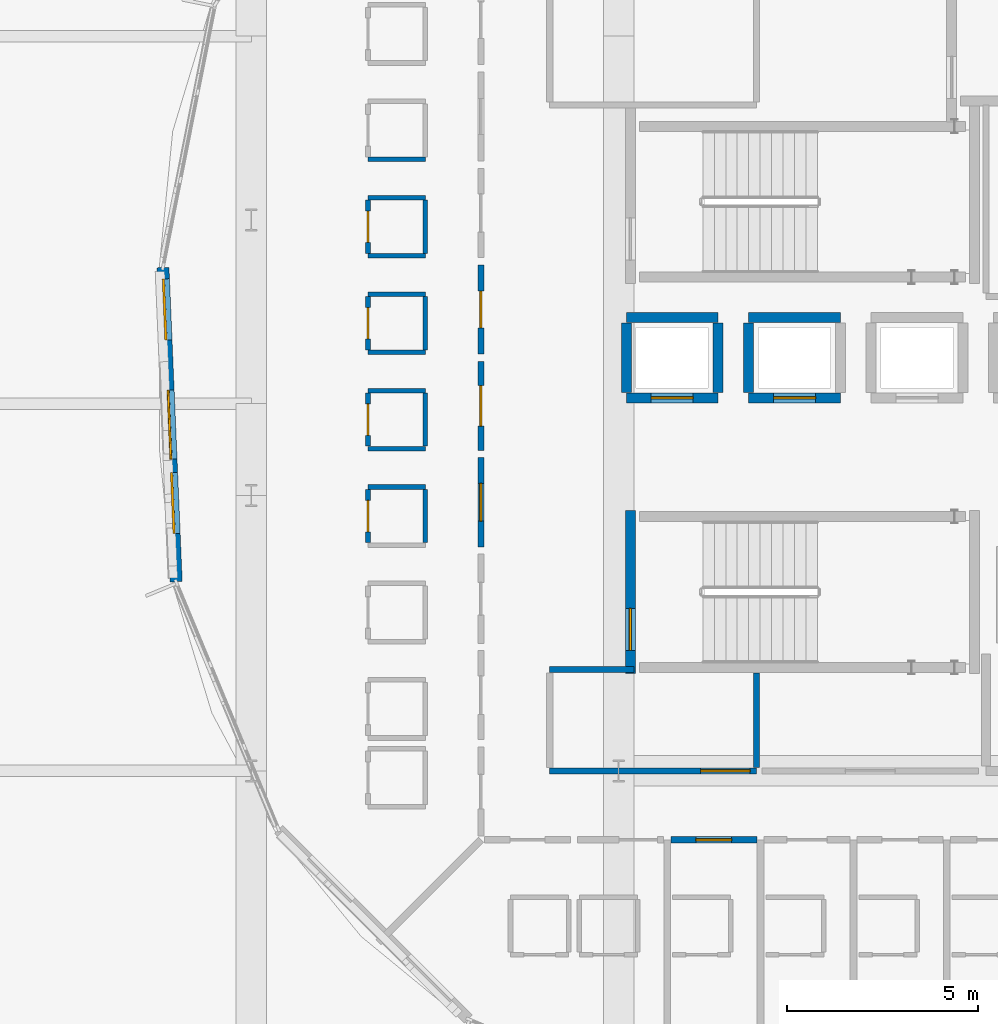
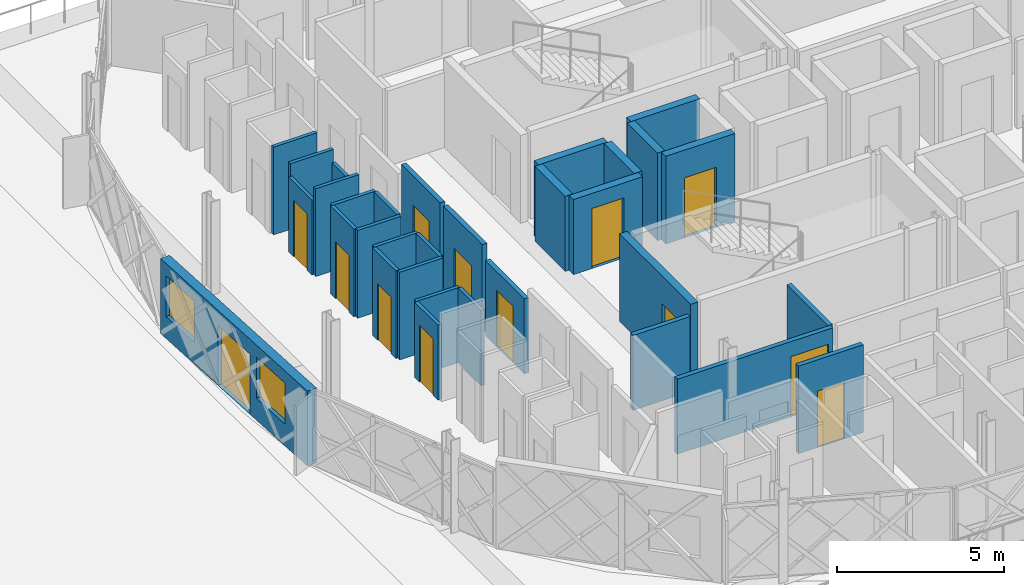
# One storey, part 31 of 53: 32 walls, 13 doors, 2 windows, 15 openings.
"""IFC4 building model written with IfcOpenShell, lengths in metres."""

from ifc_helpers import new_model, si_unit, direction, frame, frame_2d, origin, place, context, subcontext, project, spatial, rectangle, extrude, material, layer, layer_set, type_object, element, fill, save


model = new_model("IFC4")

# Units and contexts
model_context = context("Model", 3, precision=1e-05, world=origin(), true_north=direction((0.0, 1.0)))
body_context = subcontext(model_context, "Body", "Model", "MODEL_VIEW")
ifc_project = project(units=[si_unit("LENGTHUNIT", "METRE"), si_unit("AREAUNIT", "SQUARE_METRE"), si_unit("VOLUMEUNIT", "CUBIC_METRE"), si_unit("PLANEANGLEUNIT", "RADIAN"), si_unit("MASSUNIT", "GRAM", prefix="KILO")], contexts=[model_context])

# Site, building, storey
site_placement = place(None, origin())
site = spatial("IfcSite", under=ifc_project, at=site_placement, CompositionType="ELEMENT")
building_placement = place(site_placement, origin())
building = spatial("IfcBuilding", under=site, at=building_placement, Name="Zevrakil Square Congress Hotel", CompositionType="ELEMENT")
storey_placement = place(building_placement, frame((0.0, 0.0, 14.699951171875)))
storey = spatial("IfcBuildingStorey", under=building, at=storey_placement, Name="L04", CompositionType="ELEMENT", Elevation=14.699951171875)

# Wall, opening, door
ifc_material_1 = material(Name="Gypsum Acoustic Stud Partition")
ifc_layer_1 = layer(ifc_material_1, 0.159912109375)
ifc_layer_set_1 = layer_set([ifc_layer_1], Name="Gypsum Acoustic Stud Partition")
wall_type_1 = type_object("IfcWallType", Name="WAL-CORR-160", PredefinedType="PARTITIONING", material=ifc_layer_set_1)
wall_1_placement = place(storey_placement, frame((135.0, 16.800048828125, 0.0), z_axis=(0.0, 0.0, 1.0), x_axis=(1.0, 0.0, 0.0)))
wall_1 = element("IfcWall", 1, at=wall_1_placement, inside=storey, type_object=wall_type_1, Name="L04 interior partition PW-L04-0241", PredefinedType="PARTITIONING", context=body_context, shape_type="SweptSolid", body=[
    extrude(rectangle(XDim=5.39990234375, YDim=0.159912109375, at=frame_2d((2.699951171875, 0.0))), origin(), (0.0, 0.0, 1.0), 2.75),
])
opening_1_placement = place(wall_1_placement, frame((3.93994140625, 0.0, 0.0)))
opening_1 = element("IfcOpeningElement", 2, at=opening_1_placement, cuts=wall_1, Name="Opening ID-08", PredefinedType="OPENING", context=body_context, shape_type="SweptSolid", body=[
    extrude(rectangle(XDim=1.300048828125, YDim=2.199951171875, at=frame_2d((0.64990234375, 1.10009765625))), frame((0.0, 0.08984375, 0.0), z_axis=(0.0, -1.0, 0.0), x_axis=(1.0, 0.0, 0.0)), (0.0, 0.0, 1.0), 0.179931640625),
])
ifc_material_2 = material(Name="Service Corridor Leaf-and-Half Door")
door_type_1 = type_object("IfcDoorType", Name="DOR-BOH-130", OperationType="NOTDEFINED", PredefinedType="DOOR", material=ifc_material_2)
door_1_placement = place(opening_1_placement, origin())
door_1 = element("IfcDoor", 3, at=door_1_placement, inside=storey, type_object=door_type_1, Name="L04 interior door 103", OperationType="SINGLE_SWING_LEFT", OverallHeight=2.199951171875, OverallWidth=1.300048828125, PredefinedType="DOOR", context=body_context, shape_type="SweptSolid", body=[
    extrude(rectangle(XDim=1.300048828125, YDim=2.199951171875, at=frame_2d((0.64990234375, 1.10009765625))), frame((0.0, 0.02490234375, 0.0), z_axis=(0.0, -1.0, 0.0), x_axis=(1.0, 0.0, 0.0)), (0.0, 0.0, 1.0), 0.050048828125),
])
fill(opening_1, door_1)

# Walls
wall_2_placement = place(storey_placement, frame((140.39990234375, 16.885009765625, 0.0), z_axis=(0.0, 0.0, 1.0), x_axis=(0.0, 1.0, 0.0)))
element("IfcWall", 4, at=wall_2_placement, inside=storey, type_object=wall_type_1, Name="L04 interior partition PW-L04-0243", PredefinedType="PARTITIONING", context=body_context, shape_type="SweptSolid", body=[
    extrude(rectangle(XDim=2.47998046875, YDim=0.159912109375, at=frame_2d((1.239990234375, 0.0))), origin(), (0.0, 0.0, 1.0), 2.75),
])
wall_3_placement = place(storey_placement, frame((135.0, 19.449951171875, 0.0), z_axis=(0.0, 0.0, 1.0), x_axis=(1.0, 0.0, 0.0)))
element("IfcWall", 5, at=wall_3_placement, inside=storey, type_object=wall_type_1, Name="L04 interior partition PW-L04-0244", PredefinedType="PARTITIONING", context=body_context, shape_type="SweptSolid", body=[
    extrude(rectangle(XDim=2.199951171875, YDim=0.159912109375, at=frame_2d((1.10009765625, 0.0))), origin(), (0.0, 0.0, 1.0), 2.75),
])

# Wall, opening, door
wall_4_placement = place(storey_placement, frame((138.1650390625, 15.0, 0.0), z_axis=(0.0, 0.0, 1.0), x_axis=(1.0, 0.0, 0.0)))
wall_4 = element("IfcWall", 6, at=wall_4_placement, inside=storey, type_object=wall_type_1, Name="L04 interior partition PW-L04-0272", PredefinedType="PARTITIONING", context=body_context, shape_type="SweptSolid", body=[
    extrude(rectangle(XDim=2.244873046875, YDim=0.159912109375, at=frame_2d((1.12255859375, 0.0))), origin(), (0.0, 0.0, 1.0), 3.215087890625),
])
opening_2_placement = place(wall_4_placement, frame((0.654541015625, 0.0, 0.0)))
opening_2 = element("IfcOpeningElement", 7, at=opening_2_placement, cuts=wall_4, Name="Opening ID-H08", PredefinedType="OPENING", context=body_context, shape_type="SweptSolid", body=[
    extrude(rectangle(XDim=0.93603515625, YDim=2.070068359375, at=frame_2d((0.468017578125, 1.03515625))), frame((0.0, 0.08984375, 0.0), z_axis=(0.0, -1.0, 0.0), x_axis=(1.0, 0.0, 0.0)), (0.0, 0.0, 1.0), 0.179931640625),
])
ifc_material_3 = material(Name="Acoustic Timber Fire Door", Category="wood")
door_type_2 = type_object("IfcDoorType", Name="DOR-INT-H08", OperationType="NOTDEFINED", PredefinedType="DOOR", material=ifc_material_3)
door_2_placement = place(opening_2_placement, origin())
door_2 = element("IfcDoor", 8, at=door_2_placement, inside=storey, type_object=door_type_2, Name="L04 interior door 113", OperationType="SINGLE_SWING_LEFT", OverallHeight=2.070068359375, OverallWidth=0.93603515625, PredefinedType="DOOR", context=body_context, shape_type="SweptSolid", body=[
    extrude(rectangle(XDim=0.93603515625, YDim=2.070068359375, at=frame_2d((0.468017578125, 1.03515625))), frame((0.0, 0.02490234375, 0.0), z_axis=(0.0, -1.0, 0.0), x_axis=(1.0, 0.0, 0.0)), (0.0, 0.0, 1.0), 0.050048828125),
])
fill(opening_2, door_2)

wall_5_placement = place(storey_placement, frame((133.199951171875, 27.695068359375, 0.0), z_axis=(0.0, 0.0, 1.0), x_axis=(0.0, 1.0, 0.0)))
wall_5 = element("IfcWall", 9, at=wall_5_placement, inside=storey, type_object=wall_type_1, Name="L04 interior partition PW-L04-0425", PredefinedType="PARTITIONING", context=body_context, shape_type="SweptSolid", body=[
    extrude(rectangle(XDim=2.329833984375, YDim=0.159912109375, at=frame_2d((1.1650390625, 0.0))), origin(), (0.0, 0.0, 1.0), 3.215087890625),
])
opening_3_placement = place(wall_5_placement, frame((0.68505859375, 0.0, 0.0)))
opening_3 = element("IfcOpeningElement", 10, at=opening_3_placement, cuts=wall_5, Name="Opening ID-H10", PredefinedType="OPENING", context=body_context, shape_type="SweptSolid", body=[
    extrude(rectangle(XDim=0.9599609375, YDim=2.1298828125, at=frame_2d((0.47998046875, 1.06494140625))), frame((0.0, 0.08984375, 0.0), z_axis=(0.0, -1.0, 0.0), x_axis=(1.0, 0.0, 0.0)), (0.0, 0.0, 1.0), 0.179931640625),
])
ifc_material_4 = material(Name="Acoustic Timber Fire Door", Category="wood")
door_type_3 = type_object("IfcDoorType", Name="DOR-INT-H10", OperationType="NOTDEFINED", PredefinedType="DOOR", material=ifc_material_4)
door_3_placement = place(opening_3_placement, origin())
door_3 = element("IfcDoor", 11, at=door_3_placement, inside=storey, type_object=door_type_3, Name="L04 interior door 173", OperationType="SINGLE_SWING_LEFT", OverallHeight=2.1298828125, OverallWidth=0.9599609375, PredefinedType="DOOR", context=body_context, shape_type="SweptSolid", body=[
    extrude(rectangle(XDim=0.9599609375, YDim=2.1298828125, at=frame_2d((0.47998046875, 1.06494140625))), frame((0.0, 0.02490234375, 0.0), z_axis=(0.0, -1.0, 0.0), x_axis=(1.0, 0.0, 0.0)), (0.0, 0.0, 1.0), 0.050048828125),
])
fill(opening_3, door_3)

wall_6_placement = place(storey_placement, frame((133.199951171875, 25.175048828125, 0.0), z_axis=(0.0, 0.0, 1.0), x_axis=(0.0, 1.0, 0.0)))
wall_6 = element("IfcWall", 12, at=wall_6_placement, inside=storey, type_object=wall_type_1, Name="L04 interior partition PW-L04-0430", PredefinedType="PARTITIONING", context=body_context, shape_type="SweptSolid", body=[
    extrude(rectangle(XDim=2.329833984375, YDim=0.159912109375, at=frame_2d((1.1650390625, 0.0))), origin(), (0.0, 0.0, 1.0), 3.215087890625),
])
opening_4_placement = place(wall_6_placement, frame((0.637451171875, 0.0, 0.0)))
opening_4 = element("IfcOpeningElement", 13, at=opening_4_placement, cuts=wall_6, Name="Opening ID-G09", PredefinedType="OPENING", context=body_context, shape_type="SweptSolid", body=[
    extrude(rectangle(XDim=1.054931640625, YDim=2.050048828125, at=frame_2d((0.52734375, 1.02490234375))), frame((0.0, 0.08984375, 0.0), z_axis=(0.0, -1.0, 0.0), x_axis=(1.0, 0.0, 0.0)), (0.0, 0.0, 1.0), 0.179931640625),
])
ifc_material_5 = material(Name="Acoustic Timber Fire Door", Category="wood")
door_type_4 = type_object("IfcDoorType", Name="DOR-INT-G09", OperationType="NOTDEFINED", PredefinedType="DOOR", material=ifc_material_5)
door_4_placement = place(opening_4_placement, origin())
door_4 = element("IfcDoor", 14, at=door_4_placement, inside=storey, type_object=door_type_4, Name="L04 interior door 175", OperationType="SINGLE_SWING_LEFT", OverallHeight=2.050048828125, OverallWidth=1.054931640625, PredefinedType="DOOR", context=body_context, shape_type="SweptSolid", body=[
    extrude(rectangle(XDim=1.054931640625, YDim=2.050048828125, at=frame_2d((0.52734375, 1.02490234375))), frame((0.0, 0.02490234375, 0.0), z_axis=(0.0, -1.0, 0.0), x_axis=(1.0, 0.0, 0.0)), (0.0, 0.0, 1.0), 0.050048828125),
])
fill(opening_4, door_4)

wall_7_placement = place(storey_placement, frame((133.199951171875, 22.655029296875, 0.0), z_axis=(0.0, 0.0, 1.0), x_axis=(0.0, 1.0, 0.0)))
wall_7 = element("IfcWall", 15, at=wall_7_placement, inside=storey, type_object=wall_type_1, Name="L04 interior partition PW-L04-0435", PredefinedType="PARTITIONING", context=body_context, shape_type="SweptSolid", body=[
    extrude(rectangle(XDim=2.330078125, YDim=0.159912109375, at=frame_2d((1.1650390625, 0.0))), origin(), (0.0, 0.0, 1.0), 2.75),
])
opening_5_placement = place(wall_7_placement, frame((0.673095703125, 0.0, 0.0)))
opening_5 = element("IfcOpeningElement", 16, at=opening_5_placement, cuts=wall_7, Name="Opening ID-H12", PredefinedType="OPENING", context=body_context, shape_type="SweptSolid", body=[
    extrude(rectangle(XDim=0.98388671875, YDim=2.070068359375, at=frame_2d((0.491943359375, 1.03515625))), frame((0.0, 0.08984375, 0.0), z_axis=(0.0, -1.0, 0.0), x_axis=(1.0, 0.0, 0.0)), (0.0, 0.0, 1.0), 0.179931640625),
])
ifc_material_6 = material(Name="Acoustic Timber Fire Door", Category="wood")
door_type_5 = type_object("IfcDoorType", Name="DOR-INT-H12", OperationType="NOTDEFINED", PredefinedType="DOOR", material=ifc_material_6)
door_5_placement = place(opening_5_placement, origin())
door_5 = element("IfcDoor", 17, at=door_5_placement, inside=storey, type_object=door_type_5, Name="L04 interior door 177", OperationType="SINGLE_SWING_LEFT", OverallHeight=2.070068359375, OverallWidth=0.98388671875, PredefinedType="DOOR", context=body_context, shape_type="SweptSolid", body=[
    extrude(rectangle(XDim=0.98388671875, YDim=2.070068359375, at=frame_2d((0.491943359375, 1.03515625))), frame((0.0, 0.02490234375, 0.0), z_axis=(0.0, -1.0, 0.0), x_axis=(1.0, 0.0, 0.0)), (0.0, 0.0, 1.0), 0.050048828125),
])
fill(opening_5, door_5)

# Walls
ifc_material_7 = material(Name="Moisture-Resistant Gypsum Partition")
ifc_layer_2 = layer(ifc_material_7, 0.1201171875)
ifc_layer_set_2 = layer_set([ifc_layer_2], Name="Moisture-Resistant Gypsum Partition")
wall_type_2 = type_object("IfcWallType", Name="WAL-ENS-120", PredefinedType="PARTITIONING", material=ifc_layer_set_2)
for number, where, z_axis, x_axis, name in (
    (18, (130.25, 32.780029296875, 0.0), (0.0, 0.0, 1.0), (1.0, 0.0, 0.0), "L04 interior partition PW-L04-0416"),
    (19, (130.25, 30.260009765625, 0.0), (0.0, 0.0, 1.0), (1.0, 0.0, 0.0), "L04 interior partition PW-L04-0421"),
    (20, (130.25, 31.780029296875, 0.0), (0.0, 0.0, 1.0), (1.0, 0.0, 0.0), "L04 interior partition PW-L04-0422"),
):
    element("IfcWall", number, at=place(storey_placement, frame(where, z_axis=z_axis, x_axis=x_axis)), inside=storey, type_object=wall_type_2, Name=name, PredefinedType="PARTITIONING", context=body_context, shape_type="SweptSolid", body=[
        extrude(rectangle(XDim=1.5, YDim=0.1201171875, at=frame_2d((0.75, 0.0))), origin(), (0.0, 0.0, 1.0), 3.215087890625),
    ])

# Wall, opening, door
wall_8_placement = place(storey_placement, frame((130.25, 30.324951171875, 0.0), z_axis=(0.0, 0.0, 1.0), x_axis=(0.0, 1.0, 0.0)))
wall_8 = element("IfcWall", 21, at=wall_8_placement, inside=storey, type_object=wall_type_2, Name="L04 interior partition PW-L04-0423", PredefinedType="PARTITIONING", context=body_context, shape_type="SweptSolid", body=[
    extrude(rectangle(XDim=1.39013671875, YDim=0.1201171875, at=frame_2d((0.695068359375, 0.0))), origin(), (0.0, 0.0, 1.0), 2.75),
])
opening_6_placement = place(wall_8_placement, frame((0.284912109375, 0.0, 0.0)))
opening_6 = element("IfcOpeningElement", 22, at=opening_6_placement, cuts=wall_8, Name="Opening ID-11", PredefinedType="OPENING", context=body_context, shape_type="SweptSolid", body=[
    extrude(rectangle(XDim=0.820068359375, YDim=2.080078125, at=frame_2d((0.41015625, 1.0400390625))), frame((0.0, 0.070068359375, 0.0), z_axis=(0.0, -1.0, 0.0), x_axis=(1.0, 0.0, 0.0)), (0.0, 0.0, 1.0), 0.14013671875),
])
ifc_material_8 = material(Name="Acoustic Timber Door", Category="wood")
door_type_6 = type_object("IfcDoorType", Name="DOR-INT-V01", OperationType="NOTDEFINED", PredefinedType="DOOR", material=ifc_material_8)
door_6_placement = place(opening_6_placement, origin())
door_6 = element("IfcDoor", 23, at=door_6_placement, inside=storey, type_object=door_type_6, Name="L04 interior door 172", OperationType="SINGLE_SWING_RIGHT", OverallHeight=2.080078125, OverallWidth=0.820068359375, PredefinedType="DOOR", context=body_context, shape_type="SweptSolid", body=[
    extrude(rectangle(XDim=0.820068359375, YDim=2.080078125, at=frame_2d((0.41015625, 1.0400390625))), frame((0.0, 0.02490234375, 0.0), z_axis=(0.0, -1.0, 0.0), x_axis=(1.0, 0.0, 0.0)), (0.0, 0.0, 1.0), 0.050048828125),
])
fill(opening_6, door_6)

# Walls
wall_9_placement = place(storey_placement, frame((131.75, 30.324951171875, 0.0), z_axis=(0.0, 0.0, 1.0), x_axis=(0.0, 1.0, 0.0)))
element("IfcWall", 24, at=wall_9_placement, inside=storey, type_object=wall_type_2, Name="L04 interior partition PW-L04-0424", PredefinedType="PARTITIONING", context=body_context, shape_type="SweptSolid", body=[
    extrude(rectangle(XDim=1.39013671875, YDim=0.1201171875, at=frame_2d((0.695068359375, 0.0))), origin(), (0.0, 0.0, 1.0), 2.75),
])
for number, where, z_axis, x_axis, name in (
    (25, (130.25, 27.739990234375, 0.0), (0.0, 0.0, 1.0), (1.0, 0.0, 0.0), "L04 interior partition PW-L04-0426"),
    (26, (130.25, 29.260009765625, 0.0), (0.0, 0.0, 1.0), (1.0, 0.0, 0.0), "L04 interior partition PW-L04-0427"),
):
    element("IfcWall", number, at=place(storey_placement, frame(where, z_axis=z_axis, x_axis=x_axis)), inside=storey, type_object=wall_type_2, Name=name, PredefinedType="PARTITIONING", context=body_context, shape_type="SweptSolid", body=[
        extrude(rectangle(XDim=1.5, YDim=0.1201171875, at=frame_2d((0.75, 0.0))), origin(), (0.0, 0.0, 1.0), 3.215087890625),
    ])

# Wall, opening, door
wall_10_placement = place(storey_placement, frame((130.25, 27.804931640625, 0.0), z_axis=(0.0, 0.0, 1.0), x_axis=(0.0, 1.0, 0.0)))
wall_10 = element("IfcWall", 27, at=wall_10_placement, inside=storey, type_object=wall_type_2, Name="L04 interior partition PW-L04-0428", PredefinedType="PARTITIONING", context=body_context, shape_type="SweptSolid", body=[
    extrude(rectangle(XDim=1.39013671875, YDim=0.1201171875, at=frame_2d((0.695068359375, 0.0))), origin(), (0.0, 0.0, 1.0), 3.215087890625),
])
opening_7_placement = place(wall_10_placement, frame((0.284912109375, 0.0, 0.0)))
opening_7 = element("IfcOpeningElement", 28, at=opening_7_placement, cuts=wall_10, Name="Opening ID-11", PredefinedType="OPENING", context=body_context, shape_type="SweptSolid", body=[
    extrude(rectangle(XDim=0.820068359375, YDim=2.080078125, at=frame_2d((0.41015625, 1.0400390625))), frame((0.0, 0.070068359375, 0.0), z_axis=(0.0, -1.0, 0.0), x_axis=(1.0, 0.0, 0.0)), (0.0, 0.0, 1.0), 0.14013671875),
])
door_7_placement = place(opening_7_placement, origin())
door_7 = element("IfcDoor", 29, at=door_7_placement, inside=storey, type_object=door_type_6, Name="L04 interior door 174", OperationType="SINGLE_SWING_RIGHT", OverallHeight=2.080078125, OverallWidth=0.820068359375, PredefinedType="DOOR", context=body_context, shape_type="SweptSolid", body=[
    extrude(rectangle(XDim=0.820068359375, YDim=2.080078125, at=frame_2d((0.41015625, 1.0400390625))), frame((0.0, 0.02490234375, 0.0), z_axis=(0.0, -1.0, 0.0), x_axis=(1.0, 0.0, 0.0)), (0.0, 0.0, 1.0), 0.050048828125),
])
fill(opening_7, door_7)

# Walls
wall_11_placement = place(storey_placement, frame((131.75, 27.804931640625, 0.0), z_axis=(0.0, 0.0, 1.0), x_axis=(0.0, 1.0, 0.0)))
element("IfcWall", 30, at=wall_11_placement, inside=storey, type_object=wall_type_2, Name="L04 interior partition PW-L04-0429", PredefinedType="PARTITIONING", context=body_context, shape_type="SweptSolid", body=[
    extrude(rectangle(XDim=1.39013671875, YDim=0.1201171875, at=frame_2d((0.695068359375, 0.0))), origin(), (0.0, 0.0, 1.0), 3.215087890625),
])
for number, where, z_axis, x_axis, name in (
    (31, (130.25, 25.219970703125, 0.0), (0.0, 0.0, 1.0), (1.0, 0.0, 0.0), "L04 interior partition PW-L04-0431"),
    (32, (130.25, 26.739990234375, 0.0), (0.0, 0.0, 1.0), (1.0, 0.0, 0.0), "L04 interior partition PW-L04-0432"),
):
    element("IfcWall", number, at=place(storey_placement, frame(where, z_axis=z_axis, x_axis=x_axis)), inside=storey, type_object=wall_type_2, Name=name, PredefinedType="PARTITIONING", context=body_context, shape_type="SweptSolid", body=[
        extrude(rectangle(XDim=1.5, YDim=0.1201171875, at=frame_2d((0.75, 0.0))), origin(), (0.0, 0.0, 1.0), 3.215087890625),
    ])

# Wall, opening, door
wall_12_placement = place(storey_placement, frame((130.25, 25.284912109375, 0.0), z_axis=(0.0, 0.0, 1.0), x_axis=(0.0, 1.0, 0.0)))
wall_12 = element("IfcWall", 33, at=wall_12_placement, inside=storey, type_object=wall_type_2, Name="L04 interior partition PW-L04-0433", PredefinedType="PARTITIONING", context=body_context, shape_type="SweptSolid", body=[
    extrude(rectangle(XDim=1.39013671875, YDim=0.1201171875, at=frame_2d((0.695068359375, 0.0))), origin(), (0.0, 0.0, 1.0), 3.215087890625),
])
opening_8_placement = place(wall_12_placement, frame((0.284912109375, 0.0, 0.0)))
opening_8 = element("IfcOpeningElement", 34, at=opening_8_placement, cuts=wall_12, Name="Opening ID-11", PredefinedType="OPENING", context=body_context, shape_type="SweptSolid", body=[
    extrude(rectangle(XDim=0.820068359375, YDim=2.080078125, at=frame_2d((0.41015625, 1.0400390625))), frame((0.0, 0.070068359375, 0.0), z_axis=(0.0, -1.0, 0.0), x_axis=(1.0, 0.0, 0.0)), (0.0, 0.0, 1.0), 0.14013671875),
])
door_8_placement = place(opening_8_placement, origin())
door_8 = element("IfcDoor", 35, at=door_8_placement, inside=storey, type_object=door_type_6, Name="L04 interior door 176", OperationType="SINGLE_SWING_RIGHT", OverallHeight=2.080078125, OverallWidth=0.820068359375, PredefinedType="DOOR", context=body_context, shape_type="SweptSolid", body=[
    extrude(rectangle(XDim=0.820068359375, YDim=2.080078125, at=frame_2d((0.41015625, 1.0400390625))), frame((0.0, 0.02490234375, 0.0), z_axis=(0.0, -1.0, 0.0), x_axis=(1.0, 0.0, 0.0)), (0.0, 0.0, 1.0), 0.050048828125),
])
fill(opening_8, door_8)

# Walls
wall_13_placement = place(storey_placement, frame((131.75, 25.284912109375, 0.0), z_axis=(0.0, 0.0, 1.0), x_axis=(0.0, 1.0, 0.0)))
element("IfcWall", 36, at=wall_13_placement, inside=storey, type_object=wall_type_2, Name="L04 interior partition PW-L04-0434", PredefinedType="PARTITIONING", context=body_context, shape_type="SweptSolid", body=[
    extrude(rectangle(XDim=1.39013671875, YDim=0.1201171875, at=frame_2d((0.695068359375, 0.0))), origin(), (0.0, 0.0, 1.0), 3.215087890625),
])
wall_14_placement = place(storey_placement, frame((130.25, 24.219970703125, 0.0), z_axis=(0.0, 0.0, 1.0), x_axis=(1.0, 0.0, 0.0)))
element("IfcWall", 37, at=wall_14_placement, inside=storey, type_object=wall_type_2, Name="L04 interior partition PW-L04-0437", PredefinedType="PARTITIONING", context=body_context, shape_type="SweptSolid", body=[
    extrude(rectangle(XDim=1.5, YDim=0.1201171875, at=frame_2d((0.75, 0.0))), origin(), (0.0, 0.0, 1.0), 2.75),
])

# Wall, opening, door
wall_15_placement = place(storey_placement, frame((130.25, 22.764892578125, 0.0), z_axis=(0.0, 0.0, 1.0), x_axis=(0.0, 1.0, 0.0)))
wall_15 = element("IfcWall", 38, at=wall_15_placement, inside=storey, type_object=wall_type_2, Name="L04 interior partition PW-L04-0438", PredefinedType="PARTITIONING", context=body_context, shape_type="SweptSolid", body=[
    extrude(rectangle(XDim=1.39013671875, YDim=0.1201171875, at=frame_2d((0.695068359375, 0.0))), origin(), (0.0, 0.0, 1.0), 2.75),
])
opening_9_placement = place(wall_15_placement, frame((0.284912109375, 0.0, 0.0)))
opening_9 = element("IfcOpeningElement", 39, at=opening_9_placement, cuts=wall_15, Name="Opening ID-11", PredefinedType="OPENING", context=body_context, shape_type="SweptSolid", body=[
    extrude(rectangle(XDim=0.820068359375, YDim=2.080078125, at=frame_2d((0.41015625, 1.0400390625))), frame((0.0, 0.070068359375, 0.0), z_axis=(0.0, -1.0, 0.0), x_axis=(1.0, 0.0, 0.0)), (0.0, 0.0, 1.0), 0.14013671875),
])
door_9_placement = place(opening_9_placement, origin())
door_9 = element("IfcDoor", 40, at=door_9_placement, inside=storey, type_object=door_type_6, Name="L04 interior door 178", OperationType="SINGLE_SWING_RIGHT", OverallHeight=2.080078125, OverallWidth=0.820068359375, PredefinedType="DOOR", context=body_context, shape_type="SweptSolid", body=[
    extrude(rectangle(XDim=0.820068359375, YDim=2.080078125, at=frame_2d((0.41015625, 1.0400390625))), frame((0.0, 0.02490234375, 0.0), z_axis=(0.0, -1.0, 0.0), x_axis=(1.0, 0.0, 0.0)), (0.0, 0.0, 1.0), 0.050048828125),
])
fill(opening_9, door_9)

# Wall
wall_16_placement = place(storey_placement, frame((131.75, 22.764892578125, 0.0), z_axis=(0.0, 0.0, 1.0), x_axis=(0.0, 1.0, 0.0)))
element("IfcWall", 41, at=wall_16_placement, inside=storey, type_object=wall_type_2, Name="L04 interior partition PW-L04-0439", PredefinedType="PARTITIONING", context=body_context, shape_type="SweptSolid", body=[
    extrude(rectangle(XDim=1.39013671875, YDim=0.1201171875, at=frame_2d((0.695068359375, 0.0))), origin(), (0.0, 0.0, 1.0), 2.75),
])

# Wall, openings, door, windows
ifc_material_9 = material(Name="Precast concrete C40/50", Category="concrete")
ifc_layer_3 = layer(ifc_material_9, 0.320068359375)
ifc_layer_set_3 = layer_set([ifc_layer_3], Name="Precast concrete C40/50")
wall_type_3 = type_object("IfcWallType", Name="WAL-EXT-GRC-320", PredefinedType="SOLIDWALL", material=ifc_layer_set_3)
wall_17_placement = place(storey_placement, frame((124.889892578125, 29.955078125, 0.0), z_axis=(0.0, 0.0, 1.0), x_axis=(0.041996210664, -0.99911776998, 0.0)))
wall_17 = element("IfcWall", 42, at=wall_17_placement, inside=storey, type_object=wall_type_3, Name="L04 exterior GRC wall EW-L04-0129", PredefinedType="SOLIDWALL", context=body_context, shape_type="SweptSolid", body=[
    extrude(rectangle(XDim=8.22021484375, YDim=0.320068359375, at=frame_2d((4.110107421875, 0.0))), origin(), (0.0, 0.0, 1.0), 2.75),
])
opening_10_placement = place(wall_17_placement, frame((3.2099609375, 0.0, 0.0)))
opening_10 = element("IfcOpeningElement", 43, at=opening_10_placement, cuts=wall_17, Name="Opening TD-01", PredefinedType="OPENING", context=body_context, shape_type="SweptSolid", body=[
    extrude(rectangle(XDim=1.800048828125, YDim=2.199951171875, at=frame_2d((0.89990234375, 1.10009765625))), frame((0.0, 0.169921875, 0.0), z_axis=(0.0, -1.0, 0.0), x_axis=(1.0, 0.0, 0.0)), (0.0, 0.0, 1.0), 0.340087890625),
])
opening_11_placement = place(wall_17_placement, frame((0.298583984375, 0.0, 0.800048828125)))
opening_11 = element("IfcOpeningElement", 44, at=opening_11_placement, cuts=wall_17, Name="Opening WN-09", PredefinedType="OPENING", context=body_context, shape_type="SweptSolid", body=[
    extrude(rectangle(XDim=1.60009765625, YDim=1.5, at=frame_2d((0.800048828125, 0.75))), frame((0.0, 0.169921875, 0.0), z_axis=(0.0, -1.0, 0.0), x_axis=(1.0, 0.0, 0.0)), (0.0, 0.0, 1.0), 0.340087890625),
])
opening_12_placement = place(wall_17_placement, frame((5.36083984375, 0.0, 0.800048828125)))
opening_12 = element("IfcOpeningElement", 45, at=opening_12_placement, cuts=wall_17, Name="Opening WN-09", PredefinedType="OPENING", context=body_context, shape_type="SweptSolid", body=[
    extrude(rectangle(XDim=1.60009765625, YDim=1.5, at=frame_2d((0.800048828125, 0.75))), frame((0.0, 0.169921875, 0.0), z_axis=(0.0, -1.0, 0.0), x_axis=(1.0, 0.0, 0.0)), (0.0, 0.0, 1.0), 0.340087890625),
])
ifc_material_10 = material(Name="Aluminium Thermal-Break Glazed Door", Category="aluminium")
door_type_7 = type_object("IfcDoorType", Name="DOR-TERR-180", OperationType="NOTDEFINED", PredefinedType="DOOR", material=ifc_material_10)
door_10_placement = place(opening_10_placement, origin())
door_10 = element("IfcDoor", 46, at=door_10_placement, inside=storey, type_object=door_type_7, Name="L04 walkable roof garden terrace door", OperationType="DOUBLE_DOOR_SINGLE_SWING", OverallHeight=2.199951171875, OverallWidth=1.800048828125, PredefinedType="DOOR", context=body_context, shape_type="SweptSolid", body=[
    extrude(rectangle(XDim=1.800048828125, YDim=2.199951171875, at=frame_2d((0.89990234375, 1.10009765625))), frame((0.0, 0.02490234375, 0.0), z_axis=(0.0, -1.0, 0.0), x_axis=(1.0, 0.0, 0.0)), (0.0, 0.0, 1.0), 0.050048828125),
])
fill(opening_10, door_10)
ifc_material_11 = material(Name="Low-E Solar Control Double Glazing", Category="glass")
window_type = type_object("IfcWindowType", Name="WIN-EXT-09", PartitioningType="SINGLE_PANEL", PredefinedType="WINDOW", material=ifc_material_11)
window_1_placement = place(opening_11_placement, origin())
window_1 = element("IfcWindow", 47, at=window_1_placement, inside=storey, type_object=window_type, Name="L04 hotel guestroom low-E window 102", OverallHeight=1.5, OverallWidth=1.60009765625, PartitioningType="SINGLE_PANEL", PredefinedType="WINDOW", context=body_context, shape_type="SweptSolid", body=[
    extrude(rectangle(XDim=1.60009765625, YDim=1.5, at=frame_2d((0.800048828125, 0.75))), frame((0.0, 0.030029296875, 0.0), z_axis=(0.0, -1.0, 0.0), x_axis=(1.0, 0.0, 0.0)), (0.0, 0.0, 1.0), 0.06005859375),
])
fill(opening_11, window_1)
window_2_placement = place(opening_12_placement, origin())
window_2 = element("IfcWindow", 48, at=window_2_placement, inside=storey, type_object=window_type, Name="L04 hotel guestroom low-E window 103", OverallHeight=1.5, OverallWidth=1.60009765625, PartitioningType="SINGLE_PANEL", PredefinedType="WINDOW", context=body_context, shape_type="SweptSolid", body=[
    extrude(rectangle(XDim=1.60009765625, YDim=1.5, at=frame_2d((0.800048828125, 0.75))), frame((0.0, 0.030029296875, 0.0), z_axis=(0.0, -1.0, 0.0), x_axis=(1.0, 0.0, 0.0)), (0.0, 0.0, 1.0), 0.06005859375),
])
fill(opening_12, window_2)

# Wall, opening, door
ifc_material_12 = material(Name="Concrete C40/50", Category="concrete")
ifc_layer_4 = layer(ifc_material_12, 0.260009765625)
ifc_layer_set_4 = layer_set([ifc_layer_4], Name="Concrete C40/50")
wall_type_4 = type_object("IfcWallType", Name="WAL-SHAFT-260", PredefinedType="SHEAR", material=ifc_layer_set_4)
wall_18_placement = place(storey_placement, frame((137.10498046875, 19.340087890625, 0.0), z_axis=(0.0, 0.0, 1.0), x_axis=(0.0, 1.0, 0.0)))
wall_18 = element("IfcWall", 49, at=wall_18_placement, inside=storey, type_object=wall_type_4, Name="L04 ST01 stair shaft W wall", PredefinedType="SHEAR", context=body_context, shape_type="SweptSolid", body=[
    extrude(rectangle(XDim=4.27001953125, YDim=0.260009765625, at=frame_2d((2.135009765625, 0.0))), origin(), (0.0, 0.0, 1.0), 3.215087890625),
])
opening_13_placement = place(wall_18_placement, frame((0.610107421875, 0.0, 0.0)))
opening_13 = element("IfcOpeningElement", 50, at=opening_13_placement, cuts=wall_18, Name="Opening SD-ST01", PredefinedType="OPENING", context=body_context, shape_type="SweptSolid", body=[
    extrude(rectangle(XDim=1.10009765625, YDim=2.199951171875, at=frame_2d((0.550048828125, 1.10009765625))), frame((0.0, 0.14013671875, 0.0), z_axis=(0.0, -1.0, 0.0), x_axis=(1.0, 0.0, 0.0)), (0.0, 0.0, 1.0), 0.280029296875),
])
ifc_material_13 = material(Name="Steel S355 Fire-Rated Door", Category="steel")
door_type_8 = type_object("IfcDoorType", Name="DOR-STAIR-FD90-110", OperationType="NOTDEFINED", PredefinedType="DOOR", material=ifc_material_13)
door_11_placement = place(opening_13_placement, origin())
door_11 = element("IfcDoor", 51, at=door_11_placement, inside=storey, type_object=door_type_8, Name="L04 ST01 protected stair fire door", OperationType="SINGLE_SWING_LEFT", OverallHeight=2.199951171875, OverallWidth=1.10009765625, PredefinedType="DOOR", context=body_context, shape_type="SweptSolid", body=[
    extrude(rectangle(XDim=1.10009765625, YDim=2.199951171875, at=frame_2d((0.550048828125, 1.10009765625))), frame((0.0, 0.02490234375, 0.0), z_axis=(0.0, -1.0, 0.0), x_axis=(1.0, 0.0, 0.0)), (0.0, 0.0, 1.0), 0.050048828125),
])
fill(opening_13, door_11)

wall_19_placement = place(storey_placement, frame((137.0, 26.550048828125, 0.0), z_axis=(0.0, 0.0, 1.0), x_axis=(1.0, 0.0, 0.0)))
wall_19 = element("IfcWall", 52, at=wall_19_placement, inside=storey, type_object=wall_type_4, Name="L04 HL1 lift shaft wall", PredefinedType="SHEAR", context=body_context, shape_type="SweptSolid", body=[
    extrude(rectangle(XDim=2.39990234375, YDim=0.260009765625, at=frame_2d((1.199951171875, 0.0))), origin(), (0.0, 0.0, 1.0), 2.75),
])
opening_14_placement = place(wall_19_placement, frame((0.64990234375, 0.0, 0.0)))
opening_14 = element("IfcOpeningElement", 53, at=opening_14_placement, cuts=wall_19, Name="Opening LD-HL1", PredefinedType="OPENING", context=body_context, shape_type="SweptSolid", body=[
    extrude(rectangle(XDim=1.10009765625, YDim=2.199951171875, at=frame_2d((0.550048828125, 1.10009765625))), frame((0.0, 0.14013671875, 0.0), z_axis=(0.0, -1.0, 0.0), x_axis=(1.0, 0.0, 0.0)), (0.0, 0.0, 1.0), 0.280029296875),
])
ifc_material_14 = material(Name="Stainless Steel Sliding Lift Landing Door", Category="steel")
door_type_9 = type_object("IfcDoorType", Name="DOR-LIFT-LD110", OperationType="NOTDEFINED", PredefinedType="DOOR", material=ifc_material_14)
door_12_placement = place(opening_14_placement, origin())
door_12 = element("IfcDoor", 54, at=door_12_placement, inside=storey, type_object=door_type_9, Name="L04 HL1 sliding lift landing door", OperationType="SLIDING_TO_LEFT", OverallHeight=2.199951171875, OverallWidth=1.10009765625, PredefinedType="DOOR", context=body_context, shape_type="SweptSolid", body=[
    extrude(rectangle(XDim=1.10009765625, YDim=2.199951171875, at=frame_2d((0.550048828125, 1.10009765625))), frame((0.0, 0.02490234375, 0.0), z_axis=(0.0, -1.0, 0.0), x_axis=(1.0, 0.0, 0.0)), (0.0, 0.0, 1.0), 0.050048828125),
])
fill(opening_14, door_12)

# Walls
wall_20_placement = place(storey_placement, frame((137.0, 28.64990234375, 0.0), z_axis=(0.0, 0.0, 1.0), x_axis=(1.0, 0.0, 0.0)))
element("IfcWall", 55, at=wall_20_placement, inside=storey, type_object=wall_type_4, Name="L04 HL1 lift shaft wall", PredefinedType="SHEAR", context=body_context, shape_type="SweptSolid", body=[
    extrude(rectangle(XDim=2.39990234375, YDim=0.260009765625, at=frame_2d((1.199951171875, 0.0))), origin(), (0.0, 0.0, 1.0), 2.75),
])
for number, where, z_axis, x_axis, name in (
    (56, (137.0, 26.68994140625, 0.0), (0.0, 0.0, 1.0), (0.0, 1.0, 0.0), "L04 HL1 lift shaft wall"),
    (57, (139.39990234375, 26.68994140625, 0.0), (0.0, 0.0, 1.0), (0.0, 1.0, 0.0), "L04 HL1 lift shaft wall"),
):
    element("IfcWall", number, at=place(storey_placement, frame(where, z_axis=z_axis, x_axis=x_axis)), inside=storey, type_object=wall_type_4, Name=name, PredefinedType="SHEAR", context=body_context, shape_type="SweptSolid", body=[
        extrude(rectangle(XDim=1.820068359375, YDim=0.260009765625, at=frame_2d((0.91015625, 0.0))), origin(), (0.0, 0.0, 1.0), 2.75),
    ])

# Wall, opening, door
wall_21_placement = place(storey_placement, frame((140.199951171875, 26.550048828125, 0.0), z_axis=(0.0, 0.0, 1.0), x_axis=(1.0, 0.0, 0.0)))
wall_21 = element("IfcWall", 58, at=wall_21_placement, inside=storey, type_object=wall_type_4, Name="L04 HL2 lift shaft wall", PredefinedType="SHEAR", context=body_context, shape_type="SweptSolid", body=[
    extrude(rectangle(XDim=2.400146484375, YDim=0.260009765625, at=frame_2d((1.2001953125, 0.0))), origin(), (0.0, 0.0, 1.0), 3.215087890625),
])
opening_15_placement = place(wall_21_placement, frame((0.64990234375, 0.0, 0.0)))
opening_15 = element("IfcOpeningElement", 59, at=opening_15_placement, cuts=wall_21, Name="Opening LD-HL2", PredefinedType="OPENING", context=body_context, shape_type="SweptSolid", body=[
    extrude(rectangle(XDim=1.10009765625, YDim=2.199951171875, at=frame_2d((0.550048828125, 1.10009765625))), frame((0.0, 0.14013671875, 0.0), z_axis=(0.0, -1.0, 0.0), x_axis=(1.0, 0.0, 0.0)), (0.0, 0.0, 1.0), 0.280029296875),
])
door_13_placement = place(opening_15_placement, origin())
door_13 = element("IfcDoor", 60, at=door_13_placement, inside=storey, type_object=door_type_9, Name="L04 HL2 sliding lift landing door", OperationType="SLIDING_TO_RIGHT", OverallHeight=2.199951171875, OverallWidth=1.10009765625, PredefinedType="DOOR", context=body_context, shape_type="SweptSolid", body=[
    extrude(rectangle(XDim=1.10009765625, YDim=2.199951171875, at=frame_2d((0.550048828125, 1.10009765625))), frame((0.0, 0.02490234375, 0.0), z_axis=(0.0, -1.0, 0.0), x_axis=(1.0, 0.0, 0.0)), (0.0, 0.0, 1.0), 0.050048828125),
])
fill(opening_15, door_13)

# Walls
wall_22_placement = place(storey_placement, frame((140.199951171875, 28.64990234375, 0.0), z_axis=(0.0, 0.0, 1.0), x_axis=(1.0, 0.0, 0.0)))
element("IfcWall", 61, at=wall_22_placement, inside=storey, type_object=wall_type_4, Name="L04 HL2 lift shaft wall", PredefinedType="SHEAR", context=body_context, shape_type="SweptSolid", body=[
    extrude(rectangle(XDim=2.400146484375, YDim=0.260009765625, at=frame_2d((1.2001953125, 0.0))), origin(), (0.0, 0.0, 1.0), 3.215087890625),
])
wall_23_placement = place(storey_placement, frame((140.199951171875, 26.68994140625, 0.0), z_axis=(0.0, 0.0, 1.0), x_axis=(0.0, 1.0, 0.0)))
element("IfcWall", 62, at=wall_23_placement, inside=storey, type_object=wall_type_4, Name="L04 HL2 lift shaft wall", PredefinedType="SHEAR", context=body_context, shape_type="SweptSolid", body=[
    extrude(rectangle(XDim=1.820068359375, YDim=0.260009765625, at=frame_2d((0.91015625, 0.0))), origin(), (0.0, 0.0, 1.0), 3.215087890625),
])

save(model, "model.ifc")
